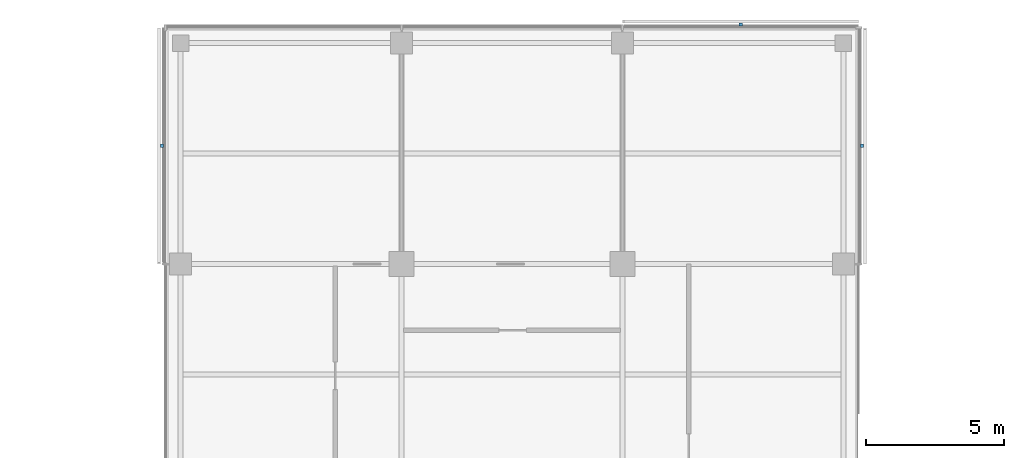
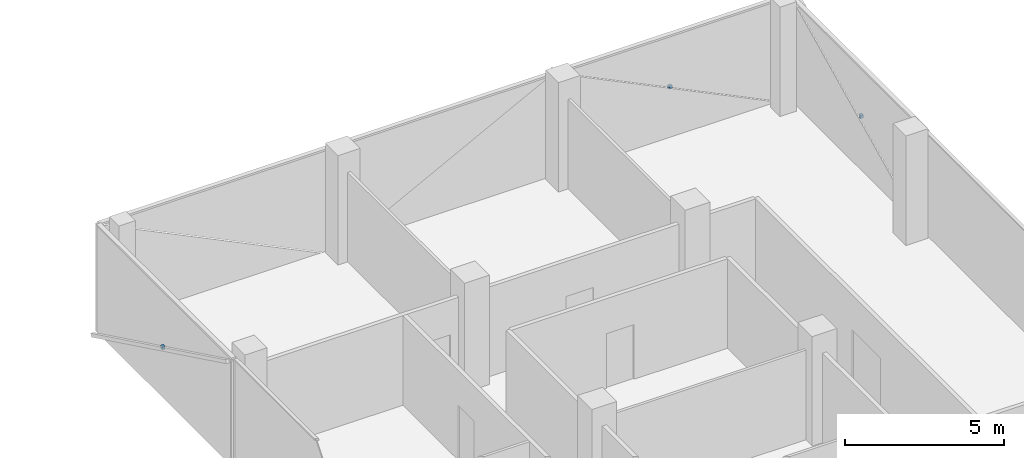
# One storey, part 14 of 15: 3 discrete accessories.
"""IFC4 building model written with IfcOpenShell, lengths in metres."""

from ifc_helpers import new_model, si_unit, direction, frame, origin, origin_2d, place, context, subcontext, project, spatial, rectangle, extrude, material, type_object, element, save


model = new_model("IFC4")

# Units and contexts
model_context = context("Model", 3, precision=1e-05, world=origin(), true_north=direction((0.0, 1.0)))
body_context = subcontext(model_context, "Body", "Model", "MODEL_VIEW")
ifc_project = project(units=[si_unit("LENGTHUNIT", "METRE"), si_unit("AREAUNIT", "SQUARE_METRE"), si_unit("VOLUMEUNIT", "CUBIC_METRE"), si_unit("PLANEANGLEUNIT", "RADIAN"), si_unit("MASSUNIT", "GRAM", prefix="KILO")], contexts=[model_context])

# Site, building, storey
site_placement = place(None, origin())
site = spatial("IfcSite", under=ifc_project, at=site_placement, CompositionType="ELEMENT")
building_placement = place(site_placement, origin())
building = spatial("IfcBuilding", under=site, at=building_placement, Name="Crosswind Convention Tower", CompositionType="ELEMENT")
storey_placement = place(building_placement, frame((0.0, 0.0, 191.5)))
storey = spatial("IfcBuildingStorey", under=building, at=storey_placement, Name="L40", CompositionType="ELEMENT", Elevation=191.5)

# Discrete accessories
ifc_material = material(Name="Stainless steel", Category="steel")
discrete_accessory_type = type_object("IfcDiscreteAccessoryType", Name="BAGUETTE BRACKET BK3", PredefinedType="BRACKET", material=ifc_material)
for number, where, z_axis, x_axis, name in (
    (1, (137.676025390625, 124.280029296875, 1.704833984375), (0.0, 0.0, 1.0), (0.0, 1.0, 0.0), "BK3 baguette bracket"),
    (2, (133.280029296875, 128.676025390625, 1.704833984375), (0.0, 0.0, 1.0), (-1.0, 0.0, 0.0), "BK3 baguette bracket"),
    (3, (112.323974609375, 124.280029296875, 1.704833984375), (0.0, 0.0, 1.0), (0.0, -1.0, 0.0), "BK3 baguette bracket"),
):
    element("IfcDiscreteAccessory", number, at=place(storey_placement, frame(where, z_axis=z_axis, x_axis=x_axis)), inside=storey, type_object=discrete_accessory_type, Name=name, PredefinedType="BRACKET", context=body_context, shape_type="SweptSolid", body=[
        extrude(rectangle(XDim=0.1201171875, YDim=0.10009765625, at=origin_2d()), origin(), (0.0, 0.0, 1.0), 0.1201171875),
    ])

save(model, "model.ifc")
